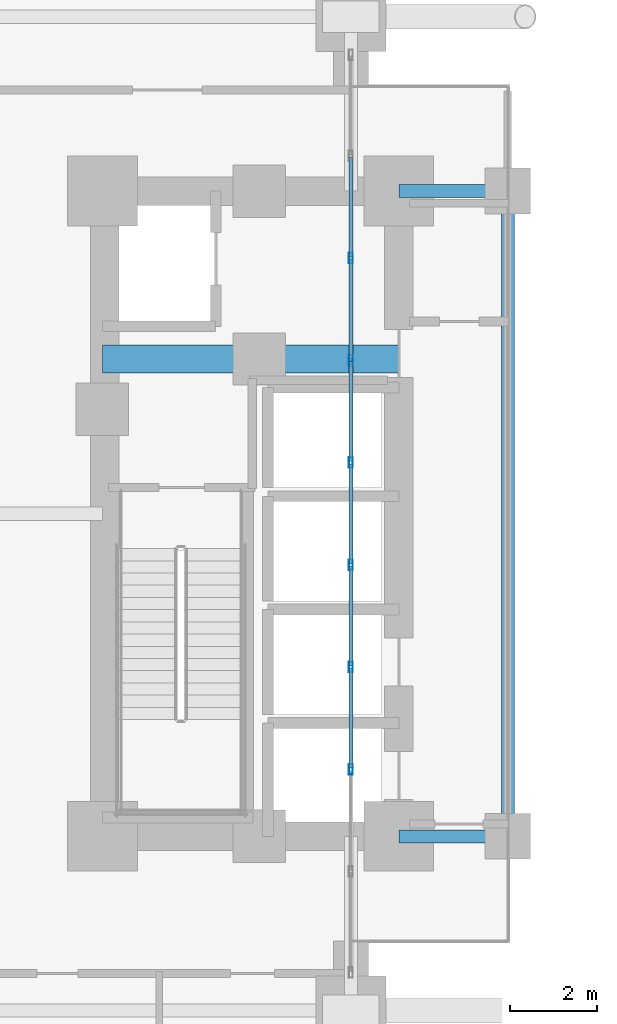
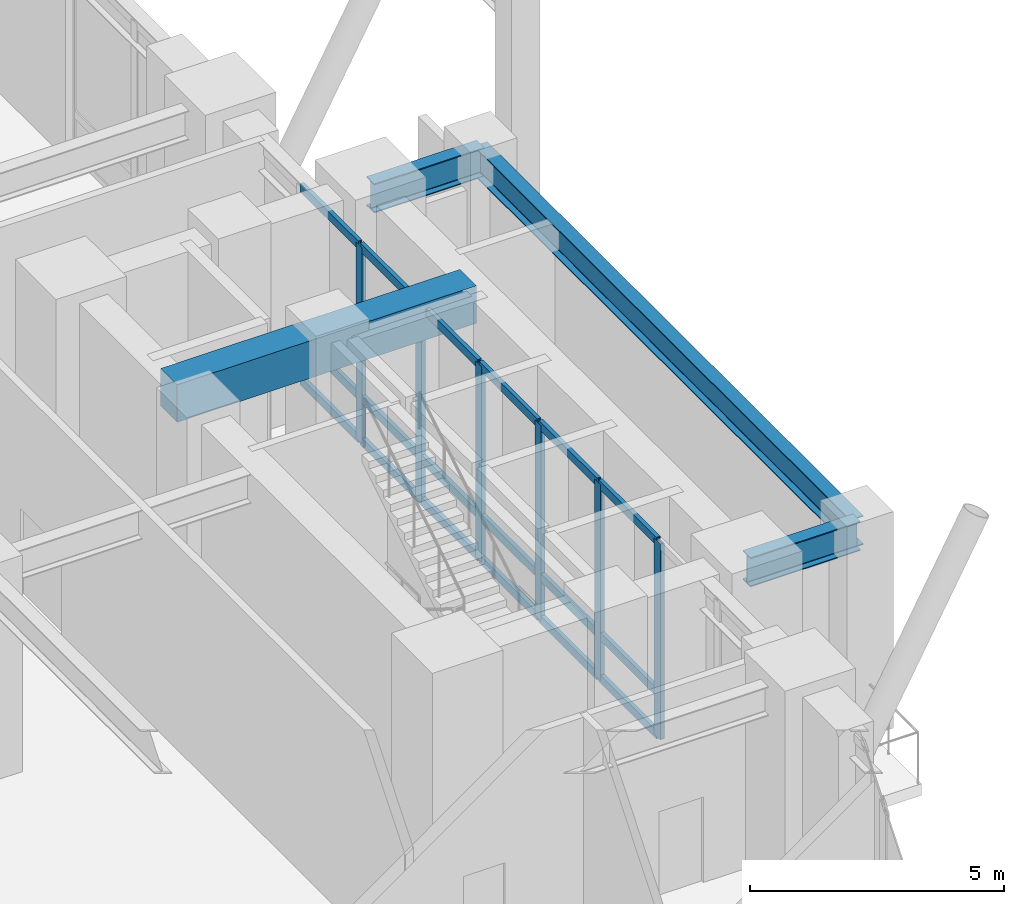
# One storey, part 5 of 27: 24 members, 4 beams, 1 element without a shape of its own.
"""IFC4 building model written with IfcOpenShell, lengths in metres."""

from ifc_helpers import new_model, si_unit, direction, frame, origin, origin_2d, place, context, subcontext, project, spatial, rectangle, hollow_rectangle, i_section, extrude, material, layer, layer_set, material_profile, profile_set, type_object, element, aggregate, save


model = new_model("IFC4")

# Units and contexts
model_context = context("Model", 3, precision=1e-05, world=origin(), true_north=direction((0.0, 1.0)))
body_context = subcontext(model_context, "Body", "Model", "MODEL_VIEW")
ifc_project = project(units=[si_unit("LENGTHUNIT", "METRE"), si_unit("AREAUNIT", "SQUARE_METRE"), si_unit("VOLUMEUNIT", "CUBIC_METRE"), si_unit("PLANEANGLEUNIT", "RADIAN"), si_unit("MASSUNIT", "GRAM", prefix="KILO")], contexts=[model_context])

# Site, building, storey
site_placement = place(None, origin())
site = spatial("IfcSite", under=ifc_project, at=site_placement, CompositionType="ELEMENT")
building_placement = place(site_placement, origin())
building = spatial("IfcBuilding", under=site, at=building_placement, Name="Voryun Gate Residences", CompositionType="ELEMENT")
storey_placement = place(building_placement, frame((0.0, 0.0, 5.199951171875)))
storey = spatial("IfcBuildingStorey", under=building, at=storey_placement, Name="L01", CompositionType="ELEMENT", Elevation=5.199951171875)

# Beams
ifc_material_1 = material(Name="Concrete C60/75", Category="concrete")
ifc_material_profile_1 = material_profile(ifc_material_1, rectangle(XDim=0.64990234375, YDim=0.89990234375, at=origin_2d()), Name="RC-650x900")
ifc_profile_set_1 = profile_set([ifc_material_profile_1], Name="Concrete C60/75")
beam_type_1 = type_object("IfcBeamType", Name="BM_COUP_RC900", PredefinedType="LINTEL", material=ifc_profile_set_1)
beam_1_placement = place(storey_placement, frame((-19.199951171875, 3.550048828125, 4.469970703125), z_axis=(1.0, 0.0, 0.0), x_axis=(0.0, 1.0, 0.0)))
element("IfcBeam", 1, at=beam_1_placement, inside=storey, type_object=beam_type_1, Name="BM-L01-WC1", PredefinedType="LINTEL", context=body_context, shape_type="SweptSolid", body=[
    extrude(rectangle(XDim=0.64990234375, YDim=0.89990234375, at=origin_2d()), origin(), (0.0, 0.0, 1.0), 6.800048828125),
])
ifc_material_2 = material(Name="Steel SM355", Category="steel")
ifc_material_profile_2 = material_profile(ifc_material_2, i_section(OverallWidth=0.300048828125, OverallDepth=0.699951171875, WebThickness=0.012939453125, FlangeThickness=0.02392578125, FilletRadius=0.01806640625, at=origin_2d()), Name="H-700x300x13x24")
ifc_profile_set_2 = profile_set([ifc_material_profile_2], Name="Steel SM355")
beam_type_2 = type_object("IfcBeamType", Name="BM_GIRD_700", PredefinedType="USERDEFINED", material=ifc_profile_set_2)
for number, where, z_axis, x_axis, name in (
    (2, (-12.39990234375, -7.39990234375, 4.570068359375), (1.0, 0.0, 0.0), (0.0, 1.0, 0.0), "BM-L01-CLRX-CLR-WS"),
    (3, (-12.39990234375, 7.39990234375, 4.570068359375), (1.0, 0.0, 0.0), (0.0, 1.0, 0.0), "BM-L01-CLRX-CLR-WN"),
):
    element("IfcBeam", number, at=place(storey_placement, frame(where, z_axis=z_axis, x_axis=x_axis)), inside=storey, type_object=beam_type_2, Name=name, ObjectType="GIRDER", PredefinedType="USERDEFINED", context=body_context, shape_type="SweptSolid", body=[
        extrude(i_section(OverallWidth=0.300048828125, OverallDepth=0.699951171875, WebThickness=0.012939453125, FlangeThickness=0.02392578125, FilletRadius=0.01806640625, at=origin_2d()), origin(), (0.0, 0.0, 1.0), 2.5),
    ])
beam_2_placement = place(storey_placement, frame((-9.89990234375, -7.39990234375, 4.570068359375), z_axis=(0.0, 1.0, 0.0), x_axis=(-1.0, 0.0, 0.0)))
element("IfcBeam", 4, at=beam_2_placement, inside=storey, type_object=beam_type_2, Name="BM-L01-CLRY-W", ObjectType="GIRDER", PredefinedType="USERDEFINED", context=body_context, shape_type="SweptSolid", body=[
    extrude(i_section(OverallWidth=0.300048828125, OverallDepth=0.699951171875, WebThickness=0.012939453125, FlangeThickness=0.02392578125, FilletRadius=0.01806640625, at=origin_2d()), origin(), (0.0, 0.0, 1.0), 14.7998046875),
])

# Curtain wall, members
ifc_material_3 = material(Name="Anodised aluminium", Category="aluminium")
ifc_layer = layer(ifc_material_3, 0.239990234375, Name="CW_SYS_ARCH_DARK_GLASS")
ifc_layer_set = layer_set([ifc_layer], Name="Anodised aluminium")
curtain_wall_type = type_object("IfcCurtainWallType", Name="CW_SYS_ARCH_DARK_GLASS", PredefinedType="NOTDEFINED", material=ifc_layer_set)
curtain_wall_placement = place(storey_placement, origin())
curtain_wall = element("IfcCurtainWall", 5, at=curtain_wall_placement, inside=storey, type_object=curtain_wall_type, Name="Curtain wall CW2-L01-WP-M", PredefinedType="NOTDEFINED")
ifc_material_4 = material(Name="Anodised aluminium", Category="aluminium")
ifc_material_profile_3 = material_profile(ifc_material_4, hollow_rectangle(XDim=0.090087890625, YDim=0.239990234375, WallThickness=0.006103515625, at=origin_2d()), Name="ALU-MULL-240x90x6")
ifc_profile_set_3 = profile_set([ifc_material_profile_3], Name="Anodised aluminium")
member_type_1 = type_object("IfcMemberType", Name="CW_MULL_ARCH", PredefinedType="MULLION", material=ifc_profile_set_3)
member_1_placement = place(storey_placement, frame((-13.5, -5.86376953125, 0.0), z_axis=(0.0, 0.0, 1.0), x_axis=(-1.0, 0.0, 0.0)))
member_1 = element("IfcMember", 6, at=member_1_placement, type_object=member_type_1, Name="CW2 mullion 3", PredefinedType="MULLION", context=body_context, shape_type="SweptSolid", body=[
    extrude(hollow_rectangle(XDim=0.090087890625, YDim=0.239990234375, WallThickness=0.006103515625, at=origin_2d()), origin(), (0.0, 0.0, 1.0), 4.699951171875),
])
member_2_placement = place(storey_placement, frame((-13.5, -3.518310546875, 0.0), z_axis=(0.0, 0.0, 1.0), x_axis=(-1.0, 0.0, 0.0)))
member_2 = element("IfcMember", 7, at=member_2_placement, type_object=member_type_1, Name="CW2 mullion 4", PredefinedType="MULLION", context=body_context, shape_type="SweptSolid", body=[
    extrude(hollow_rectangle(XDim=0.090087890625, YDim=0.239990234375, WallThickness=0.006103515625, at=origin_2d()), origin(), (0.0, 0.0, 1.0), 4.699951171875),
])
member_3_placement = place(storey_placement, frame((-13.5, -1.1728515625, 0.0), z_axis=(0.0, 0.0, 1.0), x_axis=(-1.0, 0.0, 0.0)))
member_3 = element("IfcMember", 8, at=member_3_placement, type_object=member_type_1, Name="CW2 mullion 5", PredefinedType="MULLION", context=body_context, shape_type="SweptSolid", body=[
    extrude(hollow_rectangle(XDim=0.090087890625, YDim=0.239990234375, WallThickness=0.006103515625, at=origin_2d()), origin(), (0.0, 0.0, 1.0), 4.699951171875),
])
member_4_placement = place(storey_placement, frame((-13.5, 1.1728515625, 0.0), z_axis=(0.0, 0.0, 1.0), x_axis=(-1.0, 0.0, 0.0)))
member_4 = element("IfcMember", 9, at=member_4_placement, type_object=member_type_1, Name="CW2 mullion 6", PredefinedType="MULLION", context=body_context, shape_type="SweptSolid", body=[
    extrude(hollow_rectangle(XDim=0.090087890625, YDim=0.239990234375, WallThickness=0.006103515625, at=origin_2d()), origin(), (0.0, 0.0, 1.0), 4.699951171875),
])
member_5_placement = place(storey_placement, frame((-13.5, 3.518310546875, 0.0), z_axis=(0.0, 0.0, 1.0), x_axis=(-1.0, 0.0, 0.0)))
member_5 = element("IfcMember", 10, at=member_5_placement, type_object=member_type_1, Name="CW2 mullion 7", PredefinedType="MULLION", context=body_context, shape_type="SweptSolid", body=[
    extrude(hollow_rectangle(XDim=0.090087890625, YDim=0.239990234375, WallThickness=0.006103515625, at=origin_2d()), origin(), (0.0, 0.0, 1.0), 4.699951171875),
])
member_6_placement = place(storey_placement, frame((-13.5, 5.86376953125, 0.0), z_axis=(0.0, 0.0, 1.0), x_axis=(-1.0, 0.0, 0.0)))
member_6 = element("IfcMember", 11, at=member_6_placement, type_object=member_type_1, Name="CW2 mullion 8", PredefinedType="MULLION", context=body_context, shape_type="SweptSolid", body=[
    extrude(hollow_rectangle(XDim=0.090087890625, YDim=0.239990234375, WallThickness=0.006103515625, at=origin_2d()), origin(), (0.0, 0.0, 1.0), 4.699951171875),
])
ifc_material_5 = material(Name="Anodised aluminium", Category="aluminium")
ifc_material_profile_4 = material_profile(ifc_material_5, hollow_rectangle(XDim=0.090087890625, YDim=0.199951171875, WallThickness=0.006103515625, at=origin_2d()), Name="ALU-TRAN-200x90x6")
ifc_profile_set_4 = profile_set([ifc_material_profile_4], Name="Anodised aluminium")
member_type_2 = type_object("IfcMemberType", Name="CW_TRAN_ARCH", PredefinedType="USERDEFINED", material=ifc_profile_set_4)
member_7_placement = place(storey_placement, frame((-13.5, -5.833984375, 0.030029296875), z_axis=(0.0, 1.0, 0.0), x_axis=(-1.0, 0.0, 0.0)))
member_7 = element("IfcMember", 12, at=member_7_placement, type_object=member_type_2, Name="CW2 transom 3.1", ObjectType="TRANSOM", PredefinedType="USERDEFINED", context=body_context, shape_type="SweptSolid", body=[
    extrude(hollow_rectangle(XDim=0.090087890625, YDim=0.199951171875, WallThickness=0.006103515625, at=origin_2d()), origin(), (0.0, 0.0, 1.0), 2.28564453125),
])
member_8_placement = place(storey_placement, frame((-13.5, -5.833984375, 1.050048828125), z_axis=(0.0, 1.0, 0.0), x_axis=(-1.0, 0.0, 0.0)))
member_8 = element("IfcMember", 13, at=member_8_placement, type_object=member_type_2, Name="CW2 transom 3.2", ObjectType="TRANSOM", PredefinedType="USERDEFINED", context=body_context, shape_type="SweptSolid", body=[
    extrude(hollow_rectangle(XDim=0.090087890625, YDim=0.199951171875, WallThickness=0.006103515625, at=origin_2d()), origin(), (0.0, 0.0, 1.0), 2.28564453125),
])
member_9_placement = place(storey_placement, frame((-13.5, -5.833984375, 4.670166015625), z_axis=(0.0, 1.0, 0.0), x_axis=(-1.0, 0.0, 0.0)))
member_9 = element("IfcMember", 14, at=member_9_placement, type_object=member_type_2, Name="CW2 transom 3.3", ObjectType="TRANSOM", PredefinedType="USERDEFINED", context=body_context, shape_type="SweptSolid", body=[
    extrude(hollow_rectangle(XDim=0.090087890625, YDim=0.199951171875, WallThickness=0.006103515625, at=origin_2d()), origin(), (0.0, 0.0, 1.0), 2.28564453125),
])
member_10_placement = place(storey_placement, frame((-13.5, -3.48828125, 0.030029296875), z_axis=(0.0, 1.0, 0.0), x_axis=(-1.0, 0.0, 0.0)))
member_10 = element("IfcMember", 15, at=member_10_placement, type_object=member_type_2, Name="CW2 transom 4.1", ObjectType="TRANSOM", PredefinedType="USERDEFINED", context=body_context, shape_type="SweptSolid", body=[
    extrude(hollow_rectangle(XDim=0.090087890625, YDim=0.199951171875, WallThickness=0.006103515625, at=origin_2d()), origin(), (0.0, 0.0, 1.0), 2.285400390625),
])
member_11_placement = place(storey_placement, frame((-13.5, -3.48828125, 1.050048828125), z_axis=(0.0, 1.0, 0.0), x_axis=(-1.0, 0.0, 0.0)))
member_11 = element("IfcMember", 16, at=member_11_placement, type_object=member_type_2, Name="CW2 transom 4.2", ObjectType="TRANSOM", PredefinedType="USERDEFINED", context=body_context, shape_type="SweptSolid", body=[
    extrude(hollow_rectangle(XDim=0.090087890625, YDim=0.199951171875, WallThickness=0.006103515625, at=origin_2d()), origin(), (0.0, 0.0, 1.0), 2.285400390625),
])
member_12_placement = place(storey_placement, frame((-13.5, -3.48828125, 4.670166015625), z_axis=(0.0, 1.0, 0.0), x_axis=(-1.0, 0.0, 0.0)))
member_12 = element("IfcMember", 17, at=member_12_placement, type_object=member_type_2, Name="CW2 transom 4.3", ObjectType="TRANSOM", PredefinedType="USERDEFINED", context=body_context, shape_type="SweptSolid", body=[
    extrude(hollow_rectangle(XDim=0.090087890625, YDim=0.199951171875, WallThickness=0.006103515625, at=origin_2d()), origin(), (0.0, 0.0, 1.0), 2.285400390625),
])
member_13_placement = place(storey_placement, frame((-13.5, -1.142822265625, 0.030029296875), z_axis=(0.0, 1.0, 0.0), x_axis=(-1.0, 0.0, 0.0)))
member_13 = element("IfcMember", 18, at=member_13_placement, type_object=member_type_2, Name="CW2 transom 5.1", ObjectType="TRANSOM", PredefinedType="USERDEFINED", context=body_context, shape_type="SweptSolid", body=[
    extrude(hollow_rectangle(XDim=0.090087890625, YDim=0.199951171875, WallThickness=0.006103515625, at=origin_2d()), origin(), (0.0, 0.0, 1.0), 2.28564453125),
])
member_14_placement = place(storey_placement, frame((-13.5, -1.142822265625, 1.050048828125), z_axis=(0.0, 1.0, 0.0), x_axis=(-1.0, 0.0, 0.0)))
member_14 = element("IfcMember", 19, at=member_14_placement, type_object=member_type_2, Name="CW2 transom 5.2", ObjectType="TRANSOM", PredefinedType="USERDEFINED", context=body_context, shape_type="SweptSolid", body=[
    extrude(hollow_rectangle(XDim=0.090087890625, YDim=0.199951171875, WallThickness=0.006103515625, at=origin_2d()), origin(), (0.0, 0.0, 1.0), 2.28564453125),
])
member_15_placement = place(storey_placement, frame((-13.5, -1.142822265625, 4.670166015625), z_axis=(0.0, 1.0, 0.0), x_axis=(-1.0, 0.0, 0.0)))
member_15 = element("IfcMember", 20, at=member_15_placement, type_object=member_type_2, Name="CW2 transom 5.3", ObjectType="TRANSOM", PredefinedType="USERDEFINED", context=body_context, shape_type="SweptSolid", body=[
    extrude(hollow_rectangle(XDim=0.090087890625, YDim=0.199951171875, WallThickness=0.006103515625, at=origin_2d()), origin(), (0.0, 0.0, 1.0), 2.28564453125),
])
member_16_placement = place(storey_placement, frame((-13.5, 1.202880859375, 0.030029296875), z_axis=(0.0, 1.0, 0.0), x_axis=(-1.0, 0.0, 0.0)))
member_16 = element("IfcMember", 21, at=member_16_placement, type_object=member_type_2, Name="CW2 transom 6.1", ObjectType="TRANSOM", PredefinedType="USERDEFINED", context=body_context, shape_type="SweptSolid", body=[
    extrude(hollow_rectangle(XDim=0.090087890625, YDim=0.199951171875, WallThickness=0.006103515625, at=origin_2d()), origin(), (0.0, 0.0, 1.0), 2.285400390625),
])
member_17_placement = place(storey_placement, frame((-13.5, 1.202880859375, 1.050048828125), z_axis=(0.0, 1.0, 0.0), x_axis=(-1.0, 0.0, 0.0)))
member_17 = element("IfcMember", 22, at=member_17_placement, type_object=member_type_2, Name="CW2 transom 6.2", ObjectType="TRANSOM", PredefinedType="USERDEFINED", context=body_context, shape_type="SweptSolid", body=[
    extrude(hollow_rectangle(XDim=0.090087890625, YDim=0.199951171875, WallThickness=0.006103515625, at=origin_2d()), origin(), (0.0, 0.0, 1.0), 2.285400390625),
])
member_18_placement = place(storey_placement, frame((-13.5, 1.202880859375, 4.670166015625), z_axis=(0.0, 1.0, 0.0), x_axis=(-1.0, 0.0, 0.0)))
member_18 = element("IfcMember", 23, at=member_18_placement, type_object=member_type_2, Name="CW2 transom 6.3", ObjectType="TRANSOM", PredefinedType="USERDEFINED", context=body_context, shape_type="SweptSolid", body=[
    extrude(hollow_rectangle(XDim=0.090087890625, YDim=0.199951171875, WallThickness=0.006103515625, at=origin_2d()), origin(), (0.0, 0.0, 1.0), 2.285400390625),
])
member_19_placement = place(storey_placement, frame((-13.5, 3.54833984375, 0.030029296875), z_axis=(0.0, 1.0, 0.0), x_axis=(-1.0, 0.0, 0.0)))
member_19 = element("IfcMember", 24, at=member_19_placement, type_object=member_type_2, Name="CW2 transom 7.1", ObjectType="TRANSOM", PredefinedType="USERDEFINED", context=body_context, shape_type="SweptSolid", body=[
    extrude(hollow_rectangle(XDim=0.090087890625, YDim=0.199951171875, WallThickness=0.006103515625, at=origin_2d()), origin(), (0.0, 0.0, 1.0), 2.28564453125),
])
member_20_placement = place(storey_placement, frame((-13.5, 3.54833984375, 1.050048828125), z_axis=(0.0, 1.0, 0.0), x_axis=(-1.0, 0.0, 0.0)))
member_20 = element("IfcMember", 25, at=member_20_placement, type_object=member_type_2, Name="CW2 transom 7.2", ObjectType="TRANSOM", PredefinedType="USERDEFINED", context=body_context, shape_type="SweptSolid", body=[
    extrude(hollow_rectangle(XDim=0.090087890625, YDim=0.199951171875, WallThickness=0.006103515625, at=origin_2d()), origin(), (0.0, 0.0, 1.0), 2.28564453125),
])
member_21_placement = place(storey_placement, frame((-13.5, 3.54833984375, 4.670166015625), z_axis=(0.0, 1.0, 0.0), x_axis=(-1.0, 0.0, 0.0)))
member_21 = element("IfcMember", 26, at=member_21_placement, type_object=member_type_2, Name="CW2 transom 7.3", ObjectType="TRANSOM", PredefinedType="USERDEFINED", context=body_context, shape_type="SweptSolid", body=[
    extrude(hollow_rectangle(XDim=0.090087890625, YDim=0.199951171875, WallThickness=0.006103515625, at=origin_2d()), origin(), (0.0, 0.0, 1.0), 2.28564453125),
])
member_22_placement = place(storey_placement, frame((-13.5, 5.893798828125, 0.030029296875), z_axis=(0.0, 1.0, 0.0), x_axis=(-1.0, 0.0, 0.0)))
member_22 = element("IfcMember", 27, at=member_22_placement, type_object=member_type_2, Name="CW2 transom 8.1", ObjectType="TRANSOM", PredefinedType="USERDEFINED", context=body_context, shape_type="SweptSolid", body=[
    extrude(hollow_rectangle(XDim=0.090087890625, YDim=0.199951171875, WallThickness=0.006103515625, at=origin_2d()), origin(), (0.0, 0.0, 1.0), 2.28564453125),
])
member_23_placement = place(storey_placement, frame((-13.5, 5.893798828125, 1.050048828125), z_axis=(0.0, 1.0, 0.0), x_axis=(-1.0, 0.0, 0.0)))
member_23 = element("IfcMember", 28, at=member_23_placement, type_object=member_type_2, Name="CW2 transom 8.2", ObjectType="TRANSOM", PredefinedType="USERDEFINED", context=body_context, shape_type="SweptSolid", body=[
    extrude(hollow_rectangle(XDim=0.090087890625, YDim=0.199951171875, WallThickness=0.006103515625, at=origin_2d()), origin(), (0.0, 0.0, 1.0), 2.28564453125),
])
member_24_placement = place(storey_placement, frame((-13.5, 5.893798828125, 4.670166015625), z_axis=(0.0, 1.0, 0.0), x_axis=(-1.0, 0.0, 0.0)))
member_24 = element("IfcMember", 29, at=member_24_placement, type_object=member_type_2, Name="CW2 transom 8.3", ObjectType="TRANSOM", PredefinedType="USERDEFINED", context=body_context, shape_type="SweptSolid", body=[
    extrude(hollow_rectangle(XDim=0.090087890625, YDim=0.199951171875, WallThickness=0.006103515625, at=origin_2d()), origin(), (0.0, 0.0, 1.0), 2.28564453125),
])
aggregate(curtain_wall, [member_1, member_2, member_3, member_4, member_5, member_6, member_7, member_8, member_9, member_10, member_11, member_12, member_13, member_14, member_15, member_16, member_17, member_18, member_19, member_20, member_21, member_22, member_23, member_24])

save(model, "model.ifc")
